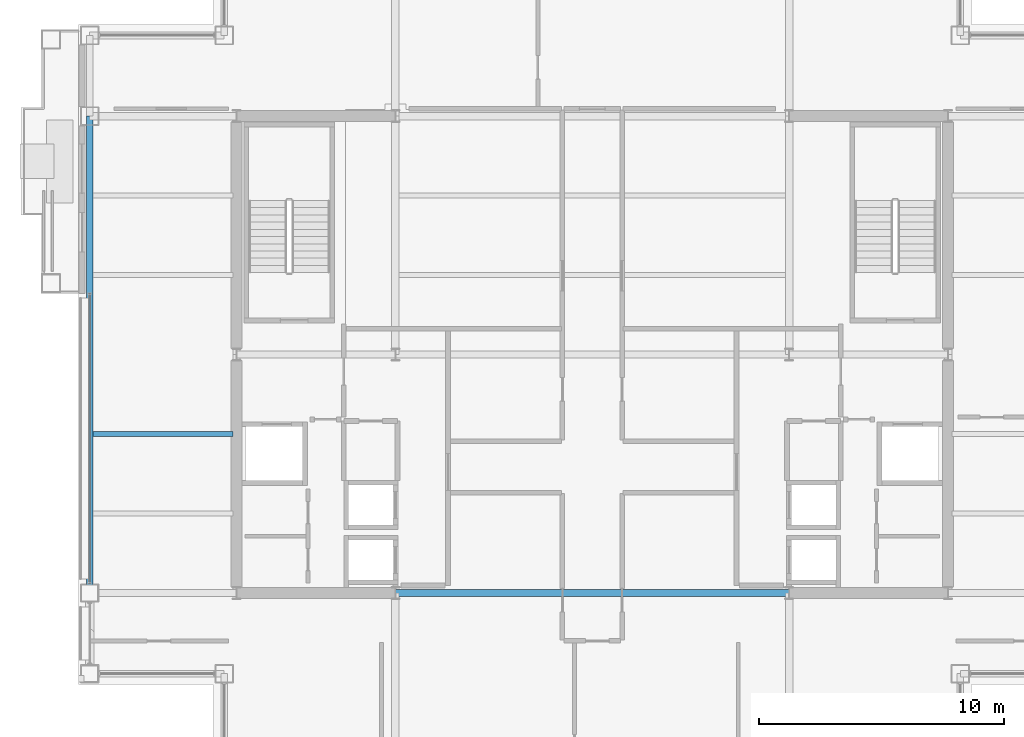
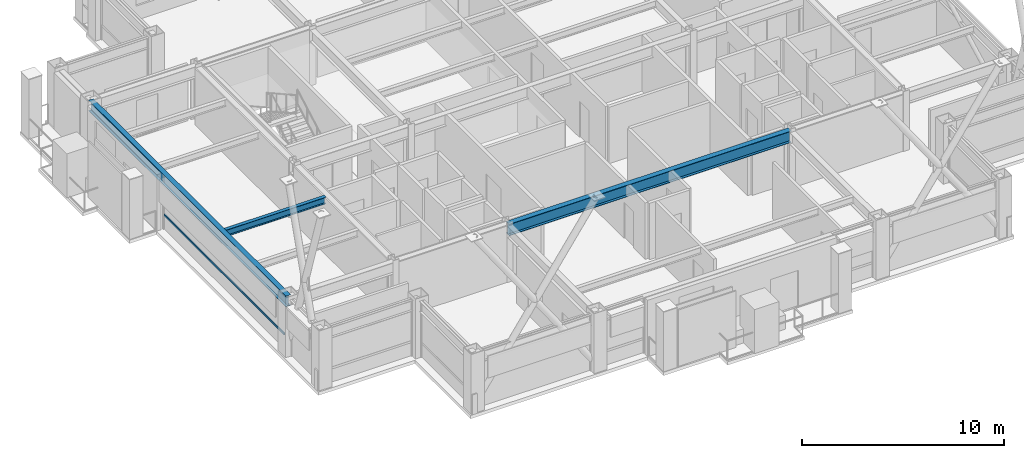
# One storey, part 10 of 32: 3 beams, 1 member, 1 element without a shape of its own.
"""IFC4 building model written with IfcOpenShell, lengths in metres."""

from ifc_helpers import new_model, si_unit, direction, frame, origin, origin_2d, place, context, subcontext, project, spatial, hollow_rectangle, i_section, extrude, material, layer, layer_set, material_profile, profile_set, type_object, element, aggregate, save


model = new_model("IFC4")

# Units and contexts
model_context = context("Model", 3, precision=1e-05, world=origin(), true_north=direction((0.0, 1.0)))
body_context = subcontext(model_context, "Body", "Model", "MODEL_VIEW")
ifc_project = project(units=[si_unit("LENGTHUNIT", "METRE"), si_unit("AREAUNIT", "SQUARE_METRE"), si_unit("VOLUMEUNIT", "CUBIC_METRE"), si_unit("PLANEANGLEUNIT", "RADIAN"), si_unit("MASSUNIT", "GRAM", prefix="KILO")], contexts=[model_context])

# Site, building, storey
site_placement = place(None, origin())
site = spatial("IfcSite", under=ifc_project, at=site_placement, CompositionType="ELEMENT")
building_placement = place(site_placement, origin())
building = spatial("IfcBuilding", under=site, at=building_placement, Name="Brelmoor Portico Tower", CompositionType="ELEMENT")
storey_placement = place(building_placement, frame((0.0, 0.0, 162.300048828125)))
storey = spatial("IfcBuildingStorey", under=building, at=storey_placement, Name="L42", CompositionType="ELEMENT", Elevation=162.300048828125)

# Beams
ifc_material_1 = material(Name="Steel Q355B", Category="steel")
ifc_material_profile_1 = material_profile(ifc_material_1, i_section(OverallWidth=0.199951171875, OverallDepth=0.39990234375, WebThickness=0.008056640625, FlangeThickness=0.012939453125, at=origin_2d()), Name="HN 400x200x8x13")
ifc_profile_set_1 = profile_set([ifc_material_profile_1], Name="Steel Q355B")
beam_type_1 = type_object("IfcBeamType", Name="BM-JS-400", PredefinedType="JOIST", material=ifc_profile_set_1)
beam_1_placement = place(storey_placement, frame((-20.409912109375, -3.25, 3.199951171875), z_axis=(1.0, 0.0, 0.0), x_axis=(0.0, 1.0, 0.0)))
element("IfcBeam", 1, at=beam_1_placement, inside=storey, type_object=beam_type_1, Name="L42 Secondary Wing Joist JS-W06", PredefinedType="JOIST", context=body_context, shape_type="SweptSolid", body=[
    extrude(i_section(OverallWidth=0.199951171875, OverallDepth=0.39990234375, WebThickness=0.008056640625, FlangeThickness=0.012939453125, at=origin_2d()), origin(), (0.0, 0.0, 1.0), 5.7099609375),
])
ifc_material_profile_2 = material_profile(ifc_material_1, i_section(OverallWidth=0.300048828125, OverallDepth=0.699951171875, WebThickness=0.012939453125, FlangeThickness=0.02392578125, at=origin_2d()), Name="HN 700x300x13x24")
ifc_profile_set_2 = profile_set([ifc_material_profile_2], Name="Steel Q355B")
beam_type_2 = type_object("IfcBeamType", Name="BM-PG-700", PredefinedType="BEAM", material=ifc_profile_set_2)
beam_2_placement = place(storey_placement, frame((-8.050048828125, -9.75, 3.050048828125), z_axis=(1.0, 0.0, 0.0), x_axis=(0.0, 1.0, 0.0)))
element("IfcBeam", 2, at=beam_2_placement, inside=storey, type_object=beam_type_2, Name="L42 Primary Floor Girder PG-13", PredefinedType="BEAM", context=body_context, shape_type="SweptSolid", body=[
    extrude(i_section(OverallWidth=0.300048828125, OverallDepth=0.699951171875, WebThickness=0.012939453125, FlangeThickness=0.02392578125, at=origin_2d()), origin(), (0.0, 0.0, 1.0), 16.10009765625),
])
ifc_material_profile_3 = material_profile(ifc_material_1, i_section(OverallWidth=0.280029296875, OverallDepth=0.64990234375, WebThickness=0.012939453125, FlangeThickness=0.02197265625, at=origin_2d()), Name="HN 650x280x13x22")
ifc_profile_set_3 = profile_set([ifc_material_profile_3], Name="Steel Q355B")
beam_type_3 = type_object("IfcBeamType", Name="BM-SP-650", PredefinedType="SPANDREL", material=ifc_profile_set_3)
beam_3_placement = place(storey_placement, frame((-20.550048828125, -9.75, 3.074951171875), z_axis=(0.0, 1.0, 0.0), x_axis=(-1.0, 0.0, 0.0)))
element("IfcBeam", 3, at=beam_3_placement, inside=storey, type_object=beam_type_3, Name="L42 Perimeter Spandrel Beam SP-12", PredefinedType="SPANDREL", context=body_context, shape_type="SweptSolid", body=[
    extrude(i_section(OverallWidth=0.280029296875, OverallDepth=0.64990234375, WebThickness=0.012939453125, FlangeThickness=0.02197265625, at=origin_2d()), origin(), (0.0, 0.0, 1.0), 19.5),
])

# Curtain wall, member
ifc_material_2 = material(Name="Anodised Aluminium Alloy 6063-T6", Category="aluminium")
ifc_layer = layer(ifc_material_2, 0.179931640625)
ifc_layer_set = layer_set([ifc_layer], Name="Anodised Aluminium Alloy 6063-T6")
curtain_wall_type = type_object("IfcCurtainWallType", Name="CW-TOWER-Z3", PredefinedType="NOTDEFINED", material=ifc_layer_set)
curtain_wall_placement = place(storey_placement, origin())
curtain_wall = element("IfcCurtainWall", 4, at=curtain_wall_placement, inside=storey, type_object=curtain_wall_type, Name="L42 Curtain Wall CW-L42-3L-2", PredefinedType="NOTDEFINED")
ifc_material_profile_4 = material_profile(ifc_material_2, hollow_rectangle(XDim=0.06005859375, YDim=0.125, WallThickness=0.00341796875, at=origin_2d()), Name="ALU TRANSOM 60x125")
ifc_profile_set_4 = profile_set([ifc_material_profile_4], Name="Anodised Aluminium Alloy 6063-T6")
member_type = type_object("IfcMemberType", Name="MB-CW-TRAN-125", PredefinedType="USERDEFINED", material=ifc_profile_set_4)
member_placement = place(storey_placement, frame((-20.550048828125, -9.364990234375, 0.849853515625), z_axis=(0.0, 1.0, 0.0), x_axis=(-1.0, 0.0, 0.0)))
member = element("IfcMember", 5, at=member_placement, type_object=member_type, Name="CW-L42-3L-2 Transom 1-00", ObjectType="TRANSOM", PredefinedType="USERDEFINED", context=body_context, shape_type="SweptSolid", body=[
    extrude(hollow_rectangle(XDim=0.06005859375, YDim=0.125, WallThickness=0.00341796875, at=origin_2d()), origin(), (0.0, 0.0, 1.0), 11.864990234375),
])
aggregate(curtain_wall, [member])

save(model, "model.ifc")
